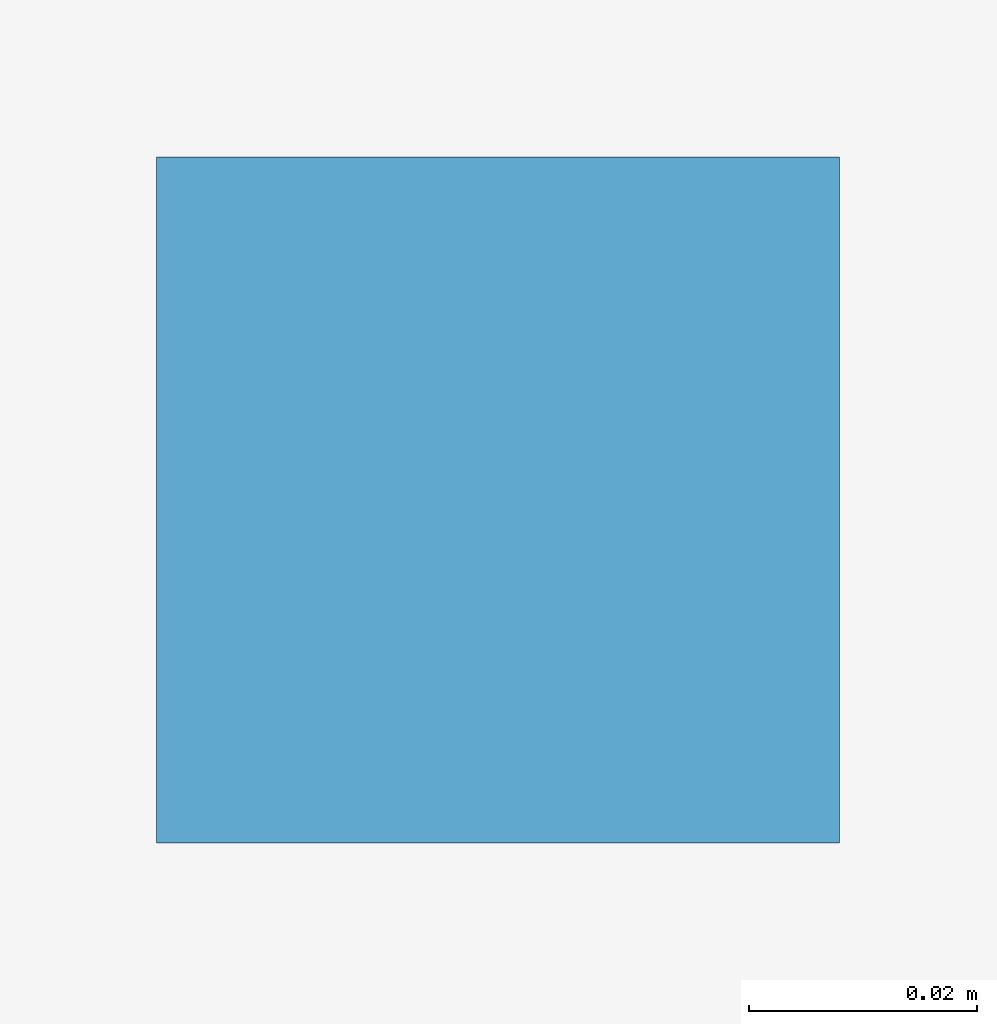
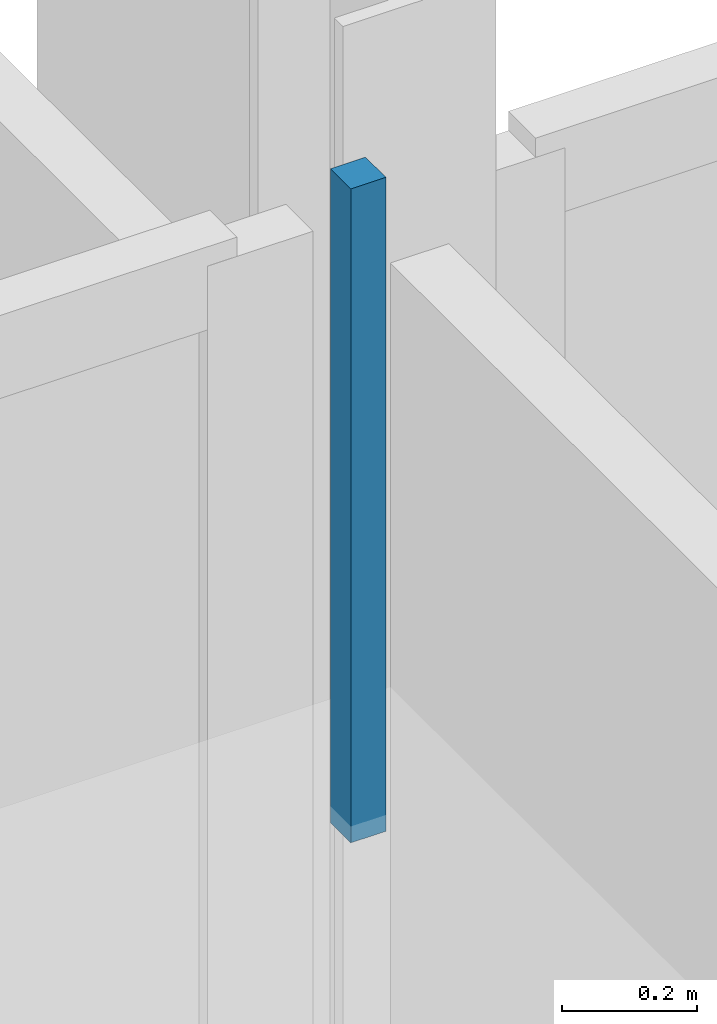
# One storey, part 45 of 59: 1 discrete accessory.
"""IFC4 building model written with IfcOpenShell, lengths in metres."""

import ifcopenshell
import ifcopenshell.guid

model = None  # the IFC model being written
_history = None  # IfcOwnerHistory: only IFC2X3 demands one
_inside = {}  # id of a spatial element -> (the spatial element, [elements in it])
_under = {}  # id of a project, library or spatial element -> (it, [spatial elements below it])
_declared = {}  # id of a project -> (the project, [libraries it declares])
_typed = {}  # id of a type object -> (the type object, [elements of that type])
_made_of = {}  # id of a material, layer set ... -> (it, [elements and type objects made of it])


def new_model(schema):
    """Start an empty IFC model of exactly this schema.

    Asked for "IFC4X3", IfcOpenShell would pick the latest addendum, in which some entities
    have other attributes; the version numbers below select the first issue.
    IFC2X3 requires an IfcOwnerHistory on every rooted entity: one is made here for all.
    """
    global model, _history
    if schema == "IFC4X3":
        model = ifcopenshell.file(schema_version=(4, 3, 0, 0))
    else:
        model = ifcopenshell.file(schema=schema)
    _inside.clear()
    _under.clear()
    _declared.clear()
    _typed.clear()
    _made_of.clear()
    _history = None
    if model.schema == "IFC2X3":
        org = make("IfcOrganization", Name="unknown")
        user = make(
            "IfcPersonAndOrganization",
            ThePerson=make("IfcPerson", FamilyName="unknown"),
            TheOrganization=org,
        )
        app = make(
            "IfcApplication",
            ApplicationDeveloper=org,
            Version="unknown",
            ApplicationFullName="unknown",
            ApplicationIdentifier="unknown",
        )
        _history = make(
            "IfcOwnerHistory",
            OwningUser=user,
            OwningApplication=app,
            ChangeAction="ADDED",
            CreationDate=0,
        )
    return model


def make(cls, **values):
    """One entity of the class cls with the attributes given. An attribute that is None is left unset."""
    return model.create_entity(
        cls, **{name: value for name, value in values.items() if value is not None}
    )


def rooted(cls, **values):
    """An entity with a GlobalId (a new one), such as an element, a storey or a relation."""
    return make(cls, GlobalId=ifcopenshell.guid.new(), OwnerHistory=_history, **values)


def si_unit(unit_type, name, prefix=None):
    """IfcSIUnit, for example si_unit("LENGTHUNIT", "METRE", prefix="MILLI")."""
    return make("IfcSIUnit", UnitType=unit_type, Prefix=prefix, Name=name)


def assignment(units):
    """IfcUnitAssignment: the units of a project."""
    return None if units is None else make("IfcUnitAssignment", Units=units)


def point(xyz):
    """IfcCartesianPoint."""
    return None if xyz is None else make("IfcCartesianPoint", Coordinates=xyz)


def direction(xyz):
    """IfcDirection."""
    return None if xyz is None else make("IfcDirection", DirectionRatios=xyz)


def frame(location, z_axis=None, x_axis=None):
    """IfcAxis2Placement3D, a coordinate frame: its origin and axes. An axis left out is left unset."""
    return make(
        "IfcAxis2Placement3D",
        Location=point(location),
        Axis=direction(z_axis),
        RefDirection=direction(x_axis),
    )


def origin():
    """The frame at (0, 0, 0) with its axes left unset."""
    return frame((0.0, 0.0, 0.0))


def place(relative_to, where):
    """IfcLocalPlacement: puts the frame where relative to a parent placement (None: the world)."""
    return make(
        "IfcLocalPlacement", PlacementRelTo=relative_to, RelativePlacement=where
    )


def context(
    kind, dimensions, precision=None, world=None, true_north=None, identifier=None
):
    """IfcGeometricRepresentationContext, for example the 3D "Model" context."""
    return make(
        "IfcGeometricRepresentationContext",
        ContextIdentifier=identifier,
        ContextType=kind,
        CoordinateSpaceDimension=dimensions,
        Precision=precision,
        WorldCoordinateSystem=world,
        TrueNorth=true_north,
    )


def subcontext(parent, identifier, kind, view, scale=None):
    """IfcGeometricRepresentationSubContext, for example "Body" below "Model"."""
    return make(
        "IfcGeometricRepresentationSubContext",
        ContextIdentifier=identifier,
        ContextType=kind,
        ParentContext=parent,
        TargetScale=scale,
        TargetView=view,
    )


def project(units=None, contexts=None):
    """IfcProject with its units and contexts."""
    return rooted(
        "IfcProject",
        Name="project",
        RepresentationContexts=contexts,
        UnitsInContext=assignment(units),
    )


def spatial(cls, under=None, at=None, **own):
    """A site, building, storey or space (cls), placed at a placement, below another one or the project."""
    s = rooted(cls, ObjectPlacement=at, **own)
    if under is not None:
        _under.setdefault(under.id(), (under, []))[1].append(s)
    return s


def polyline(points):
    """IfcPolyline through the points."""
    return make("IfcPolyline", Points=[point(p) for p in points])


def outline(outer, holes=None, kind="AREA"):
    """IfcArbitraryClosedProfileDef: a profile drawn as a closed curve; with holes, ...WithVoids."""
    if holes is None:
        return make("IfcArbitraryClosedProfileDef", ProfileType=kind, OuterCurve=outer)
    return make(
        "IfcArbitraryProfileDefWithVoids",
        ProfileType=kind,
        OuterCurve=outer,
        InnerCurves=holes,
    )


def extrude(swept, where, along, depth):
    """IfcExtrudedAreaSolid: the profile swept, set in the frame where, extruded along a direction by depth."""
    return make(
        "IfcExtrudedAreaSolid",
        SweptArea=swept,
        Position=where,
        ExtrudedDirection=direction(along),
        Depth=depth,
    )


def shape(context_of_items, identifier, shape_type, items):
    """IfcShapeRepresentation: the items that make up one representation, for example the "Body"."""
    return make(
        "IfcShapeRepresentation",
        ContextOfItems=context_of_items,
        RepresentationIdentifier=identifier,
        RepresentationType=shape_type,
        Items=items,
    )


def material(Name=None, Category=None):
    """IfcMaterial."""
    return make("IfcMaterial", Name=Name, Category=Category)


def made_of(thing, what):
    """Note that an element or type object is made of a material, layer set ...; save() writes the relation."""
    if what is not None:
        _made_of.setdefault(what.id(), (what, []))[1].append(thing)
    return thing


def type_object(cls, material=None, **own):
    """A type object (cls), such as IfcWallType, which elements share."""
    return made_of(rooted(cls, **own), material)


def element(
    cls,
    number,
    at=None,
    inside=None,
    cuts=None,
    type_object=None,
    material=None,
    context=None,
    identifier="Body",
    shape_type=None,
    held_by="IfcProductDefinitionShape",
    body=None,
    shapes=None,
    **own,
):
    """One element of the class cls, such as IfcWall. Its Tag is "e" and its number.

    at: its placement. inside: the storey or other place that contains it. cuts: it is an
    opening in that element (IfcRelVoidsElement). A single representation is given by context,
    identifier, shape_type and body (its items); several are given by shapes. held_by: the class
    of the entity that holds the representations. save() writes the other relations.
    """
    e = rooted(cls, Tag="e%d" % number, ObjectPlacement=at, **own)
    if body is not None:
        shapes = [shape(context, identifier, shape_type, body)]
    if shapes is not None:
        e.Representation = make(held_by, Representations=shapes)
    if inside is not None:
        _inside.setdefault(inside.id(), (inside, []))[1].append(e)
    if cuts is not None:
        rooted(
            "IfcRelVoidsElement", RelatingBuildingElement=cuts, RelatedOpeningElement=e
        )
    if type_object is not None:
        _typed.setdefault(type_object.id(), (type_object, []))[1].append(e)
    return made_of(e, material)


def aggregate(whole, parts):
    """IfcRelAggregates: a whole, such as a stair, and the parts it consists of."""
    return rooted("IfcRelAggregates", RelatingObject=whole, RelatedObjects=parts)


def save(model, path):
    """Write the relations noted so far, then the file.

    IfcRelAggregates (storeys below a building ...), IfcRelContainedInSpatialStructure (elements
    in a storey), IfcRelDefinesByType, IfcRelAssociatesMaterial and IfcRelDeclares: one each for
    every whole, place, type object, material and project.
    """
    for whole, parts in _under.values():
        aggregate(whole, parts)
    for where, things in _inside.values():
        rooted(
            "IfcRelContainedInSpatialStructure",
            RelatedElements=things,
            RelatingStructure=where,
        )
    for kind, things in _typed.values():
        rooted("IfcRelDefinesByType", RelatedObjects=things, RelatingType=kind)
    for what, things in _made_of.values():
        rooted("IfcRelAssociatesMaterial", RelatedObjects=things, RelatingMaterial=what)
    for by, libraries in _declared.values():
        rooted("IfcRelDeclares", RelatingContext=by, RelatedDefinitions=libraries)
    model.write(path)


model = new_model("IFC4")

# Units and contexts
model_context = context("Model", 3, precision=1e-05, world=origin(), true_north=direction((0.0, 1.0)))
body_context = subcontext(model_context, "Body", "Model", "MODEL_VIEW")
ifc_project = project(units=[si_unit("LENGTHUNIT", "METRE"), si_unit("AREAUNIT", "SQUARE_METRE"), si_unit("VOLUMEUNIT", "CUBIC_METRE"), si_unit("PLANEANGLEUNIT", "RADIAN"), si_unit("MASSUNIT", "GRAM", prefix="KILO")], contexts=[model_context])

# Site, building, storey
site_placement = place(None, origin())
site = spatial("IfcSite", under=ifc_project, at=site_placement, CompositionType="ELEMENT")
building_placement = place(site_placement, origin())
building = spatial("IfcBuilding", under=site, at=building_placement, Name="Dunescarp Central Library", CompositionType="ELEMENT")
storey_placement = place(building_placement, frame((0.0, 0.0, 18.60009765625)))
storey = spatial("IfcBuildingStorey", under=building, at=storey_placement, Name="L04", CompositionType="ELEMENT", Elevation=18.60009765625)

# Discrete accessory
ifc_material = material(Name="Stainless steel Grade 316L", Category="steel")
discrete_accessory_type = type_object("IfcDiscreteAccessoryType", Name="ARC-ACC-BRK", PredefinedType="BRACKET", material=ifc_material)
discrete_accessory_placement = place(storey_placement, frame((0.0, 0.0, 3.059814453125)))
element("IfcDiscreteAccessory", 1, at=discrete_accessory_placement, inside=storey, type_object=discrete_accessory_type, Name="L04 ceiling hanger CLG-L04-081-H2", PredefinedType="BRACKET", context=body_context, shape_type="SweptSolid", body=[
    extrude(outline(polyline([(57.320068359375, 36.3798828125), (57.3798828125, 36.3798828125), (57.3798828125, 36.43994140625), (57.320068359375, 36.43994140625), (57.320068359375, 36.3798828125)])), origin(), (0.0, 0.0, 1.0), 1.18017578125),
])

save(model, "model.ifc")
